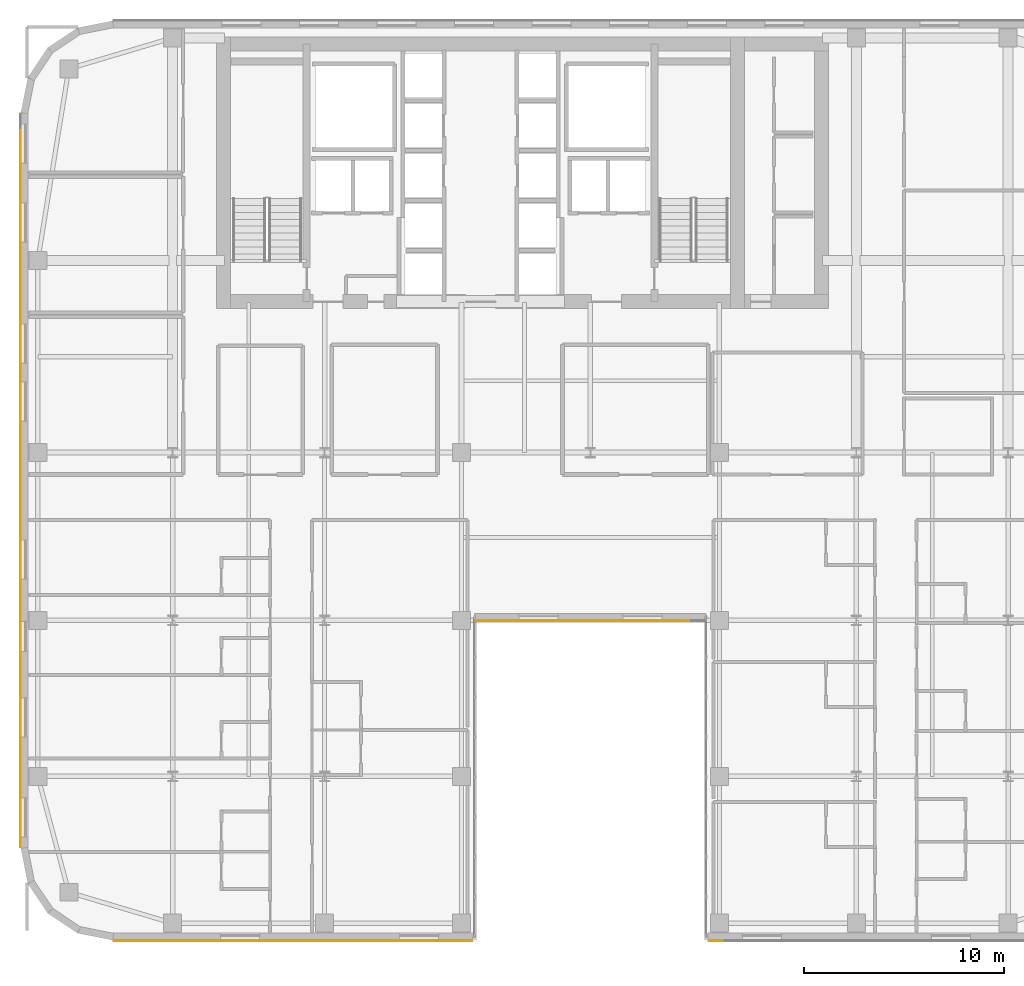
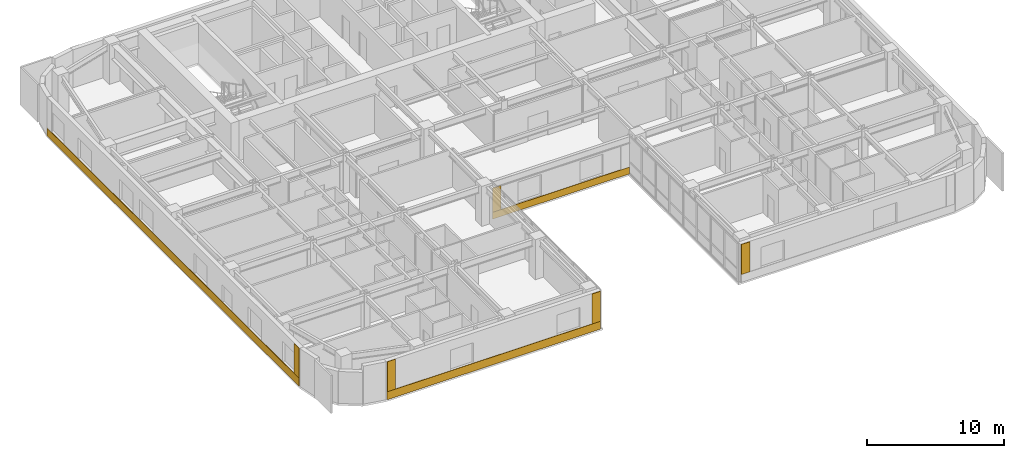
# One storey, part 21 of 25: 8 coverings.
"""IFC4 building model written with IfcOpenShell, lengths in metres."""

from ifc_helpers import new_model, si_unit, direction, frame, origin, place, context, subcontext, project, spatial, polyline, outline, extrude, material, layer, layer_set, type_object, element, save


model = new_model("IFC4")

# Units and contexts
model_context = context("Model", 3, precision=1e-05, world=origin(), true_north=direction((0.0, 1.0)))
body_context = subcontext(model_context, "Body", "Model", "MODEL_VIEW")
ifc_project = project(units=[si_unit("LENGTHUNIT", "METRE"), si_unit("AREAUNIT", "SQUARE_METRE"), si_unit("VOLUMEUNIT", "CUBIC_METRE"), si_unit("PLANEANGLEUNIT", "RADIAN"), si_unit("MASSUNIT", "GRAM", prefix="KILO")], contexts=[model_context])

# Site, building, storey
site_placement = place(None, origin())
site = spatial("IfcSite", under=ifc_project, at=site_placement, CompositionType="ELEMENT")
building_placement = place(site_placement, origin())
building = spatial("IfcBuilding", under=site, at=building_placement, Name="Tolvann Quenvar Hotel", CompositionType="ELEMENT")
storey_placement = place(building_placement, frame((0.0, 0.0, 111.550048828125)))
storey = spatial("IfcBuildingStorey", under=building, at=storey_placement, Name="L28", CompositionType="ELEMENT", Elevation=111.550048828125)

# Coverings
ifc_material_1 = material(Name="Kiln-fired red architectural face brick cladding", Category="masonry")
ifc_layer_1 = layer(ifc_material_1, 0.0400390625)
ifc_layer_set_1 = layer_set([ifc_layer_1], Name="Kiln-fired red architectural face brick cladding")
covering_type_1 = type_object("IfcCoveringType", Name="COV_CLAD_BRICK_40", PredefinedType="CLADDING", material=ifc_layer_set_1)
covering_1_placement = place(storey_placement, frame((0.0, 0.0, 0.699951171875)))
element("IfcCovering", 1, at=covering_1_placement, inside=storey, type_object=covering_type_1, Name="Brick Pier Cladding (L28-E04-P1)", PredefinedType="CLADDING", context=body_context, shape_type="SweptSolid", body=[
    extrude(outline(polyline([(4.667236328125, 0.0), (5.3671875, 0.0), (5.3671875, -0.0400390625), (4.667236328125, -0.0400390625), (4.667236328125, 0.0)])), origin(), (0.0, 0.0, 1.0), 2.669921875),
])
covering_2_placement = place(storey_placement, frame((0.0, 0.0, 0.699951171875)))
element("IfcCovering", 2, at=covering_2_placement, inside=storey, type_object=covering_type_1, Name="Brick Pier Cladding (L28-E04-P2)", PredefinedType="CLADDING", context=body_context, shape_type="SweptSolid", body=[
    extrude(outline(polyline([(21.875, 0.0), (22.574951171875, 0.0), (22.574951171875, -0.0400390625), (21.875, -0.0400390625), (21.875, 0.0)])), origin(), (0.0, 0.0, 1.0), 2.669921875),
])
covering_3_placement = place(storey_placement, frame((0.0, 0.0, 0.6044921875)))
element("IfcCovering", 3, at=covering_3_placement, inside=storey, type_object=covering_type_1, Name="Brick Pier Cladding (L28-E06-P1)", PredefinedType="CLADDING", context=body_context, shape_type="SweptSolid", body=[
    extrude(outline(polyline([(22.760009765625, 16.0), (23.4599609375, 16.0), (23.4599609375, 15.9599609375), (22.760009765625, 15.9599609375), (22.760009765625, 16.0)])), origin(), (0.0, 0.0, 1.0), 2.1435546875),
])
covering_4_placement = place(storey_placement, frame((0.0, 0.0, 0.699951171875)))
element("IfcCovering", 4, at=covering_4_placement, inside=storey, type_object=covering_type_1, Name="Brick Pier Cladding (L28-E08-P1)", PredefinedType="CLADDING", context=body_context, shape_type="SweptSolid", body=[
    extrude(outline(polyline([(34.425048828125, 0.0), (35.125, 0.0), (35.125, -0.0400390625), (34.425048828125, -0.0400390625), (34.425048828125, 0.0)])), origin(), (0.0, 0.0, 1.0), 2.669921875),
])
covering_5_placement = place(storey_placement, frame((0.0, 0.0, 0.699951171875)))
element("IfcCovering", 5, at=covering_5_placement, inside=storey, type_object=covering_type_1, Name="Brick Pier Cladding (L28-E23-P2)", PredefinedType="CLADDING", context=body_context, shape_type="SweptSolid", body=[
    extrude(outline(polyline([(0.0, 5.3671875), (0.0, 4.667236328125), (-0.0400390625, 4.667236328125), (-0.0400390625, 5.3671875), (0.0, 5.3671875)])), origin(), (0.0, 0.0, 1.0), 2.669921875),
])
ifc_material_2 = material(Name="Moulded buff architectural terracotta spandrel cladding", Category="masonry")
ifc_layer_2 = layer(ifc_material_2, 0.0400390625)
ifc_layer_set_2 = layer_set([ifc_layer_2], Name="Moulded buff architectural terracotta spandrel cladding")
covering_type_2 = type_object("IfcCoveringType", Name="COV_CLAD_TERRA_40", PredefinedType="CLADDING", material=ifc_layer_set_2)
covering_6_placement = place(storey_placement, origin())
element("IfcCovering", 6, at=covering_6_placement, inside=storey, type_object=covering_type_2, Name="Terracotta Spandrel Cladding (L28-E04)", PredefinedType="CLADDING", context=body_context, shape_type="SweptSolid", body=[
    extrude(outline(polyline([(4.6572265625, 0.0), (22.5849609375, 0.0), (22.5849609375, -0.0400390625), (4.6572265625, -0.0400390625), (4.6572265625, 0.0)])), origin(), (0.0, 0.0, 1.0), 0.699951171875),
])
covering_7_placement = place(storey_placement, origin())
element("IfcCovering", 7, at=covering_7_placement, inside=storey, type_object=covering_type_2, Name="Terracotta Spandrel Cladding (L28-E06)", PredefinedType="CLADDING", context=body_context, shape_type="SweptSolid", body=[
    extrude(outline(polyline([(22.75, 16.0), (34.25, 16.0), (34.25, 15.9599609375), (22.75, 15.9599609375), (22.75, 16.0)])), origin(), (0.0, 0.0, 1.0), 0.6044921875),
])
covering_8_placement = place(storey_placement, origin())
element("IfcCovering", 8, at=covering_8_placement, inside=storey, type_object=covering_type_2, Name="Terracotta Spandrel Cladding (L28-E23)", PredefinedType="CLADDING", context=body_context, shape_type="SweptSolid", body=[
    extrude(outline(polyline([(0.0, 41.3427734375), (0.0, 4.6572265625), (-0.0400390625, 4.6572265625), (-0.0400390625, 41.3427734375), (0.0, 41.3427734375)])), origin(), (0.0, 0.0, 1.0), 0.699951171875),
])

save(model, "model.ifc")
